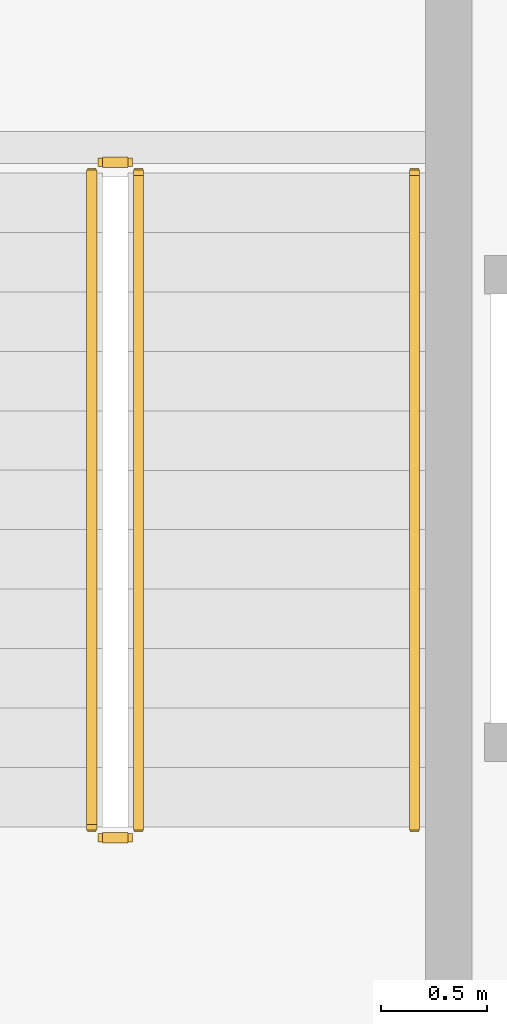
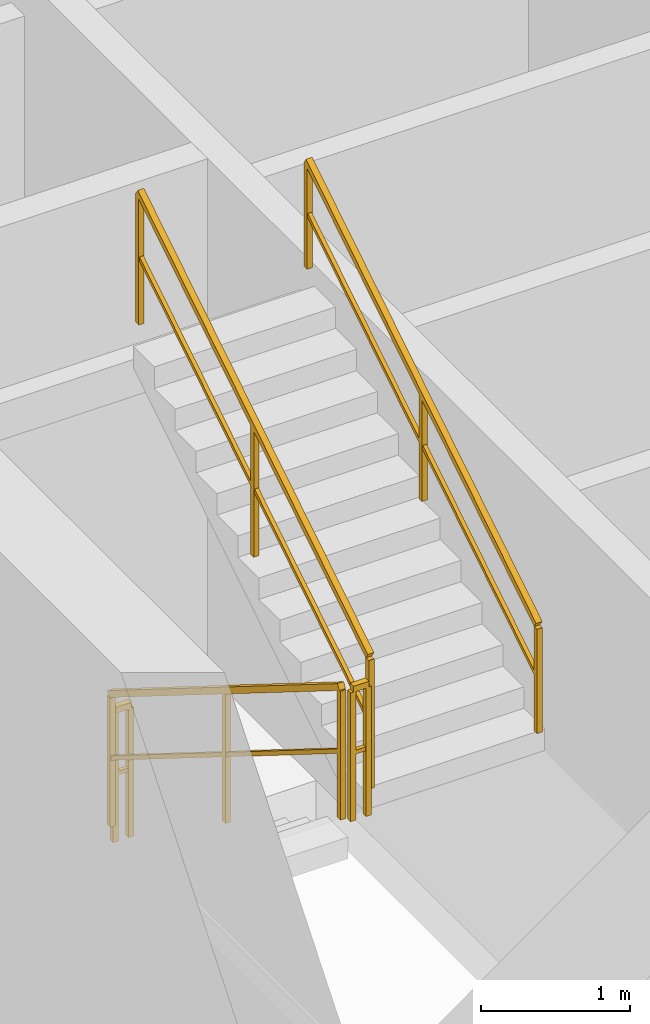
# One storey, part 9 of 12: 5 railings.
"""IFC4 building model written with IfcOpenShell, lengths in metres."""

from ifc_helpers import new_model, si_unit, direction, frame, origin, origin_2d, place, context, subcontext, project, spatial, rectangle, extrude, material, layer, layer_set, type_object, element, save


model = new_model("IFC4")

# Units and contexts
model_context = context("Model", 3, precision=1e-05, world=origin(), true_north=direction((0.0, 1.0)))
body_context = subcontext(model_context, "Body", "Model", "MODEL_VIEW")
ifc_project = project(units=[si_unit("LENGTHUNIT", "METRE"), si_unit("AREAUNIT", "SQUARE_METRE"), si_unit("VOLUMEUNIT", "CUBIC_METRE"), si_unit("PLANEANGLEUNIT", "RADIAN"), si_unit("MASSUNIT", "GRAM", prefix="KILO")], contexts=[model_context])

# Site, building, storey
site_placement = place(None, origin())
site = spatial("IfcSite", under=ifc_project, at=site_placement, CompositionType="ELEMENT")
building_placement = place(site_placement, origin())
building = spatial("IfcBuilding", under=site, at=building_placement, Name="Caelisora Broadcast Tower", CompositionType="ELEMENT")
storey_placement = place(building_placement, frame((0.0, 0.0, 14.699951171875)))
storey = spatial("IfcBuildingStorey", under=building, at=storey_placement, Name="L03", CompositionType="ELEMENT", Elevation=14.699951171875)

# Railings
ifc_material_1 = material(Name="Galvanised Steel Safety Guardrail", Category="steel")
ifc_layer_1 = layer(ifc_material_1, 0.048095703125, Name="Galvanised Steel Safety Guardrail")
ifc_layer_set_1 = layer_set([ifc_layer_1], Name="Galvanised Steel Safety Guardrail")
railing_type_1 = type_object("IfcRailingType", Name="GR-1", PredefinedType="GUARDRAIL", material=ifc_layer_set_1)
railing_1_placement = place(storey_placement, frame((32.169921875, 23.10009765625, 0.175048828125)))
element("IfcRailing", 1, at=railing_1_placement, inside=storey, type_object=railing_type_1, Name="L03 ST-1 stair guard 1", PredefinedType="GUARDRAIL", context=body_context, shape_type="SweptSolid", body=[
    extrude(rectangle(XDim=0.048095703125, YDim=0.048095703125, at=origin_2d()), frame((0.0, 0.0, 1.076171875), z_axis=(0.0, -0.847998304005, 0.529998940003), x_axis=(1.0, 0.0, 0.0)), (0.0, 0.0, 1.0), 3.632080078125),
    extrude(rectangle(XDim=0.03125, YDim=0.03125, at=origin_2d()), frame((0.0, 0.0, 0.550048828125), z_axis=(0.0, -0.847998304005, 0.529998940003), x_axis=(1.0, 0.0, 0.0)), (0.0, 0.0, 1.0), 3.632080078125),
    extrude(rectangle(XDim=0.0419921875, YDim=0.0419921875, at=origin_2d()), origin(), (0.0, 0.0, 1.0), 1.052001953125),
    extrude(rectangle(XDim=0.0419921875, YDim=0.0419921875, at=origin_2d()), frame((0.0, -1.5400390625, 0.96240234375)), (0.0, 0.0, 1.0), 1.052001953125),
    extrude(rectangle(XDim=0.0419921875, YDim=0.0419921875, at=origin_2d()), frame((0.0, -3.080078125, 1.925048828125)), (0.0, 0.0, 1.0), 1.052001953125),
])
railing_2_placement = place(storey_placement, frame((32.219970703125, 19.969970703125, 2.10009765625)))
element("IfcRailing", 2, at=railing_2_placement, inside=storey, type_object=railing_type_1, Name="L03 ST-1 stair guard 2", PredefinedType="GUARDRAIL", context=body_context, shape_type="SweptSolid", body=[
    extrude(rectangle(XDim=0.048095703125, YDim=0.048095703125, at=origin_2d()), frame((0.0, 0.0, 1.076171875), z_axis=(1.0, 0.0, 0.0), x_axis=(0.0, 1.0, 0.0)), (0.0, 0.0, 1.0), 0.1201171875),
    extrude(rectangle(XDim=0.03125, YDim=0.03125, at=origin_2d()), frame((0.0, 0.0, 0.550048828125), z_axis=(1.0, 0.0, 0.0), x_axis=(0.0, 1.0, 0.0)), (0.0, 0.0, 1.0), 0.1201171875),
    extrude(rectangle(XDim=0.0419921875, YDim=0.0419921875, at=origin_2d()), origin(), (0.0, 0.0, 1.0), 1.052001953125),
    extrude(rectangle(XDim=0.0419921875, YDim=0.0419921875, at=origin_2d()), frame((0.1201171875, 0.0, 0.0)), (0.0, 0.0, 1.0), 1.052001953125),
])
railing_3_placement = place(storey_placement, frame((32.389892578125, 20.02001953125, 2.275146484375)))
element("IfcRailing", 3, at=railing_3_placement, inside=storey, type_object=railing_type_1, Name="L03 ST-1 stair guard 3", PredefinedType="GUARDRAIL", context=body_context, shape_type="SweptSolid", body=[
    extrude(rectangle(XDim=0.048095703125, YDim=0.048095703125, at=origin_2d()), frame((0.0, 0.0, 1.076171875), z_axis=(0.0, 0.848028513186, 0.529950602248), x_axis=(-1.0, 0.0, 0.0)), (0.0, 0.0, 1.0), 3.632080078125),
    extrude(rectangle(XDim=0.03125, YDim=0.03125, at=origin_2d()), frame((0.0, 0.0, 0.550048828125), z_axis=(0.0, 0.848028513186, 0.529950602248), x_axis=(-1.0, 0.0, 0.0)), (0.0, 0.0, 1.0), 3.632080078125),
    extrude(rectangle(XDim=0.0419921875, YDim=0.0419921875, at=origin_2d()), origin(), (0.0, 0.0, 1.0), 1.052001953125),
    extrude(rectangle(XDim=0.0419921875, YDim=0.0419921875, at=origin_2d()), frame((0.0, 1.5400390625, 0.96240234375)), (0.0, 0.0, 1.0), 1.052001953125),
    extrude(rectangle(XDim=0.0419921875, YDim=0.0419921875, at=origin_2d()), frame((0.0, 3.080078125, 1.9248046875)), (0.0, 0.0, 1.0), 1.052001953125),
])
railing_4_placement = place(storey_placement, frame((32.219970703125, 23.14990234375, 0.0)))
element("IfcRailing", 4, at=railing_4_placement, inside=storey, type_object=railing_type_1, Name="L03 ST-1 stair guard 4", PredefinedType="GUARDRAIL", context=body_context, shape_type="SweptSolid", body=[
    extrude(rectangle(XDim=0.048095703125, YDim=0.048095703125, at=origin_2d()), frame((0.0, 0.0, 1.076171875), z_axis=(1.0, 0.0, 0.0), x_axis=(0.0, 1.0, 0.0)), (0.0, 0.0, 1.0), 0.1201171875),
    extrude(rectangle(XDim=0.03125, YDim=0.03125, at=origin_2d()), frame((0.0, 0.0, 0.550048828125), z_axis=(1.0, 0.0, 0.0), x_axis=(0.0, 1.0, 0.0)), (0.0, 0.0, 1.0), 0.1201171875),
    extrude(rectangle(XDim=0.0419921875, YDim=0.0419921875, at=origin_2d()), origin(), (0.0, 0.0, 1.0), 1.052001953125),
    extrude(rectangle(XDim=0.0419921875, YDim=0.0419921875, at=origin_2d()), frame((0.1201171875, 0.0, 0.0)), (0.0, 0.0, 1.0), 1.052001953125),
])
ifc_material_2 = material(Name="Stainless Steel Grade 316 Tubular Handrail", Category="steel")
ifc_layer_2 = layer(ifc_material_2, 0.048095703125, Name="Stainless Steel Grade 316 Tubular Handrail")
ifc_layer_set_2 = layer_set([ifc_layer_2], Name="Stainless Steel Grade 316 Tubular Handrail")
railing_type_2 = type_object("IfcRailingType", Name="HR-1", PredefinedType="HANDRAIL", material=ifc_layer_set_2)
railing_5_placement = place(storey_placement, frame((33.68994140625, 20.02001953125, 2.275146484375)))
element("IfcRailing", 5, at=railing_5_placement, inside=storey, type_object=railing_type_2, Name="L03 ST-1 stair handrail 2", PredefinedType="HANDRAIL", context=body_context, shape_type="SweptSolid", body=[
    extrude(rectangle(XDim=0.048095703125, YDim=0.048095703125, at=origin_2d()), frame((0.0, 0.0, 0.8759765625), z_axis=(0.0, 0.848028513186, 0.529950602248), x_axis=(-1.0, 0.0, 0.0)), (0.0, 0.0, 1.0), 3.632080078125),
    extrude(rectangle(XDim=0.03125, YDim=0.03125, at=origin_2d()), frame((0.0, 0.0, 0.449951171875), z_axis=(0.0, 0.848028513186, 0.529950602248), x_axis=(-1.0, 0.0, 0.0)), (0.0, 0.0, 1.0), 3.632080078125),
    extrude(rectangle(XDim=0.0419921875, YDim=0.0419921875, at=origin_2d()), origin(), (0.0, 0.0, 1.0), 0.851806640625),
    extrude(rectangle(XDim=0.0419921875, YDim=0.0419921875, at=origin_2d()), frame((0.0, 1.5400390625, 0.96240234375)), (0.0, 0.0, 1.0), 0.851806640625),
    extrude(rectangle(XDim=0.0419921875, YDim=0.0419921875, at=origin_2d()), frame((0.0, 3.080078125, 1.9248046875)), (0.0, 0.0, 1.0), 0.851806640625),
])

save(model, "model.ifc")
